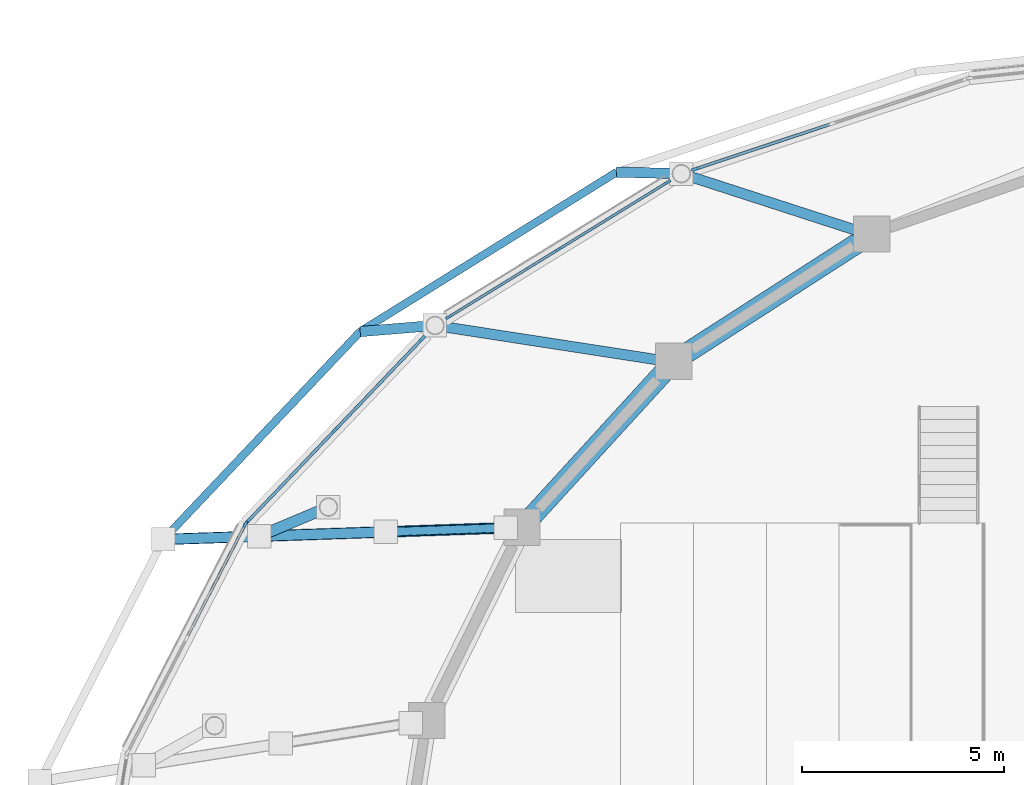
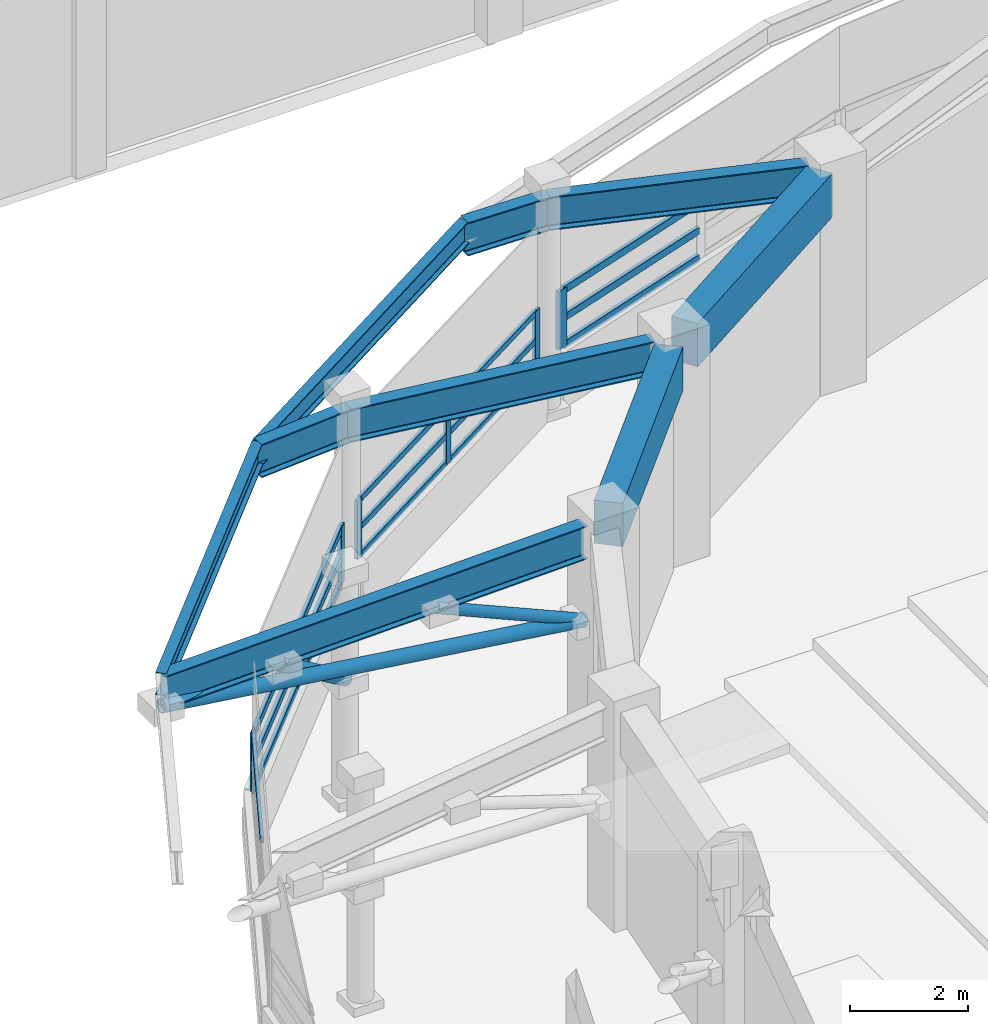
# One storey, part 14 of 56: 27 members, 9 beams, 4 elements without a shape of their own.
"""IFC4 building model written with IfcOpenShell, lengths in metres."""

from ifc_helpers import new_model, si_unit, direction, frame, origin, origin_2d, place, context, subcontext, project, spatial, rectangle, hollow_circle, i_section, extrude, material, material_profile, profile_set, type_object, element, aggregate, save


model = new_model("IFC4")

# Units and contexts
model_context = context("Model", 3, precision=1e-05, world=origin(), true_north=direction((0.0, 1.0)))
body_context = subcontext(model_context, "Body", "Model", "MODEL_VIEW")
ifc_project = project(units=[si_unit("LENGTHUNIT", "METRE"), si_unit("AREAUNIT", "SQUARE_METRE"), si_unit("VOLUMEUNIT", "CUBIC_METRE"), si_unit("PLANEANGLEUNIT", "RADIAN"), si_unit("MASSUNIT", "GRAM", prefix="KILO")], contexts=[model_context])

# Site, building, storey
site_placement = place(None, origin())
site = spatial("IfcSite", under=ifc_project, at=site_placement, CompositionType="ELEMENT")
building_placement = place(site_placement, origin())
building = spatial("IfcBuilding", under=site, at=building_placement, Name="Parian Resonance Hall", CompositionType="ELEMENT")
storey_placement = place(building_placement, frame((0.0, 0.0, 5.39990234375)))
storey = spatial("IfcBuildingStorey", under=building, at=storey_placement, Name="L01", CompositionType="ELEMENT", Elevation=5.39990234375)

# Beams
ifc_material_1 = material(Name="Concrete C40/50", Category="concrete")
ifc_material_profile_1 = material_profile(ifc_material_1, rectangle(XDim=0.5, YDim=0.89990234375, at=origin_2d()), Name="RC-BM-500x900")
ifc_profile_set_1 = profile_set([ifc_material_profile_1], Name="Concrete C40/50")
beam_type_1 = type_object("IfcBeamType", Name="BM-RC500x900", PredefinedType="USERDEFINED", material=ifc_profile_set_1)
beam_1_placement = place(storey_placement, frame((31.86376953125, 60.930908203125, 4.080078125), z_axis=(-0.840822266108, -0.541311293819, 0.0), x_axis=(0.541311293819, -0.840822266108, 0.0)))
element("IfcBeam", 1, at=beam_1_placement, inside=storey, type_object=beam_type_1, Name="Concert hall drum ring beam L01-09", ObjectType="GIRDER", PredefinedType="USERDEFINED", context=body_context, shape_type="SweptSolid", body=[
    extrude(rectangle(XDim=0.5, YDim=0.89990234375, at=origin_2d()), origin(), (0.0, 0.0, 1.0), 5.012939453125),
])
beam_2_placement = place(storey_placement, frame((27.042236328125, 57.70556640625, 4.080078125), z_axis=(-0.674892190981, -0.737916343872, 0.0), x_axis=(0.737916343872, -0.674892190981, 0.0)))
element("IfcBeam", 2, at=beam_2_placement, inside=storey, type_object=beam_type_1, Name="Concert hall drum ring beam L01-10", ObjectType="GIRDER", PredefinedType="USERDEFINED", context=body_context, shape_type="SweptSolid", body=[
    extrude(rectangle(XDim=0.5, YDim=0.89990234375, at=origin_2d()), origin(), (0.0, 0.0, 1.0), 4.757080078125),
])
ifc_material_2 = material(Name="Steel S355", Category="steel")
ifc_material_profile_2 = material_profile(ifc_material_2, i_section(OverallWidth=0.194091796875, OverallDepth=0.468994140625, WebThickness=0.0126953125, FlangeThickness=0.0205078125, FilletRadius=0.01513671875, at=origin_2d()), Name="W460x106")
ifc_profile_set_2 = profile_set([ifc_material_profile_2], Name="Steel S355")
beam_type_2 = type_object("IfcBeamType", Name="BM-W460x106", PredefinedType="SPANDREL", material=ifc_profile_set_2)
beam_3_placement = place(storey_placement, frame((25.89990234375, 62.677490234375, 4.295654296875), z_axis=(-0.849168757423, -0.528121597189, 0.0), x_axis=(0.528121597189, -0.849168757423, 0.0)))
element("IfcBeam", 3, at=beam_3_placement, inside=storey, type_object=beam_type_2, Name="Elliptical R2 perimeter spandrel beam 09", PredefinedType="SPANDREL", context=body_context, shape_type="SweptSolid", body=[
    extrude(i_section(OverallWidth=0.194091796875, OverallDepth=0.468994140625, WebThickness=0.0126953125, FlangeThickness=0.0205078125, FilletRadius=0.01513671875, at=origin_2d()), origin(), (0.0, 0.0, 1.0), 7.463134765625),
])
beam_4_placement = place(storey_placement, frame((19.5625, 58.736083984375, 4.295654296875), z_axis=(-0.687530152582, -0.726155829895, 0.0), x_axis=(0.726155829895, -0.687530152582, 0.0)))
element("IfcBeam", 4, at=beam_4_placement, inside=storey, type_object=beam_type_2, Name="Elliptical R2 perimeter spandrel beam 10", PredefinedType="SPANDREL", context=body_context, shape_type="SweptSolid", body=[
    extrude(i_section(OverallWidth=0.194091796875, OverallDepth=0.468994140625, WebThickness=0.0126953125, FlangeThickness=0.0205078125, FilletRadius=0.01513671875, at=origin_2d()), origin(), (0.0, 0.0, 1.0), 7.07275390625),
])
ifc_material_3 = material(Name="Steel S355", Category="steel")
ifc_material_profile_3 = material_profile(ifc_material_3, i_section(OverallWidth=0.256103515625, OverallDepth=0.693115234375, WebThickness=0.014404296875, FlangeThickness=0.023681640625, FilletRadius=0.020263671875, at=origin_2d()), Name="W690x170")
ifc_profile_set_3 = profile_set([ifc_material_profile_3], Name="Steel S355")
beam_type_3 = type_object("IfcBeamType", Name="CG2 W690x170", PredefinedType="USERDEFINED", material=ifc_profile_set_3)
beam_5_placement = place(storey_placement, frame((31.811279296875, 61.24169921875, 4.18359375), z_axis=(-0.951337263975, 0.308151602579, 0.0), x_axis=(-0.308151602579, -0.951337263975, 0.0)))
element("IfcBeam", 5, at=beam_5_placement, inside=storey, type_object=beam_type_3, Name="Radial ring back-span girder R2-09", ObjectType="GIRDER", PredefinedType="USERDEFINED", context=body_context, shape_type="SweptSolid", body=[
    extrude(i_section(OverallWidth=0.256103515625, OverallDepth=0.693115234375, WebThickness=0.014404296875, FlangeThickness=0.023681640625, FilletRadius=0.020263671875, at=origin_2d()), origin(), (0.0, 0.0, 1.0), 4.53173828125),
])
beam_6_placement = place(storey_placement, frame((27.5, 62.63818359375, 4.18359375), z_axis=(-0.999698413164, 0.024557742527, 0.0), x_axis=(-0.024557742527, -0.999698413164, 0.0)))
element("IfcBeam", 6, at=beam_6_placement, inside=storey, type_object=beam_type_3, Name="Radial ring cantilever girder R2-09", ObjectType="GIRDER", PredefinedType="USERDEFINED", context=body_context, shape_type="SweptSolid", body=[
    extrude(i_section(OverallWidth=0.256103515625, OverallDepth=0.693115234375, WebThickness=0.014404296875, FlangeThickness=0.023681640625, FilletRadius=0.020263671875, at=origin_2d()), origin(), (0.0, 0.0, 1.0), 1.6005859375),
])
beam_7_placement = place(storey_placement, frame((26.9140625, 58.03857421875, 4.18359375), z_axis=(-0.988303674736, 0.152498677051, 0.0), x_axis=(-0.152498677051, -0.988303674736, 0.0)))
element("IfcBeam", 7, at=beam_7_placement, inside=storey, type_object=beam_type_3, Name="Radial ring back-span girder R2-10", ObjectType="GIRDER", PredefinedType="USERDEFINED", context=body_context, shape_type="SweptSolid", body=[
    extrude(i_section(OverallWidth=0.256103515625, OverallDepth=0.693115234375, WebThickness=0.014404296875, FlangeThickness=0.023681640625, FilletRadius=0.020263671875, at=origin_2d()), origin(), (0.0, 0.0, 1.0), 5.568115234375),
])
beam_8_placement = place(storey_placement, frame((21.4111328125, 58.8876953125, 4.18359375), z_axis=(-0.99665383082, -0.081738249992, 0.0), x_axis=(0.081738249992, -0.99665383082, 0.0)))
element("IfcBeam", 8, at=beam_8_placement, inside=storey, type_object=beam_type_3, Name="Radial ring cantilever girder R2-10", ObjectType="GIRDER", PredefinedType="USERDEFINED", context=body_context, shape_type="SweptSolid", body=[
    extrude(i_section(OverallWidth=0.256103515625, OverallDepth=0.693115234375, WebThickness=0.014404296875, FlangeThickness=0.023681640625, FilletRadius=0.020263671875, at=origin_2d()), origin(), (0.0, 0.0, 1.0), 1.854736328125),
])
beam_9_placement = place(storey_placement, frame((23.162109375, 53.886474609375, 4.18359375), z_axis=(-0.999427881533, -0.033821732879, 0.0), x_axis=(0.033821732879, -0.999427881533, 0.0)))
element("IfcBeam", 9, at=beam_9_placement, inside=storey, type_object=beam_type_3, Name="Radial ring cantilever girder R2-11", ObjectType="GIRDER", PredefinedType="USERDEFINED", context=body_context, shape_type="SweptSolid", body=[
    extrude(i_section(OverallWidth=0.256103515625, OverallDepth=0.693115234375, WebThickness=0.014404296875, FlangeThickness=0.023681640625, FilletRadius=0.020263671875, at=origin_2d()), origin(), (0.0, 0.0, 1.0), 8.46728515625),
])

# Curtain wall, members
ifc_material_4 = material(Name="Bronze-anodised aluminium frame", Category="aluminium")
curtain_wall_type_1 = type_object("IfcCurtainWallType", Name="CW-SYS-03", PredefinedType="NOTDEFINED", material=ifc_material_4)
curtain_wall_1_placement = place(storey_placement, origin())
curtain_wall_1 = element("IfcCurtainWall", 10, at=curtain_wall_1_placement, inside=storey, type_object=curtain_wall_type_1, Name="Elliptical R1 recessed strip curtain wall 09", PredefinedType="NOTDEFINED")
ifc_material_5 = material(Name="Bronze-anodised aluminium frame", Category="aluminium")
ifc_material_profile_4 = material_profile(ifc_material_5, rectangle(XDim=0.06494140625, YDim=0.159912109375, at=origin_2d()), Name="CWM-65x160")
ifc_profile_set_4 = profile_set([ifc_material_profile_4], Name="Bronze-anodised aluminium frame")
member_type_1 = type_object("IfcMemberType", Name="CWM-65x160", PredefinedType="MULLION", material=ifc_profile_set_4)
member_1_placement = place(storey_placement, frame((21.747314453125, 59.0947265625, 1.14208984375), z_axis=(0.0, 0.0, 1.0), x_axis=(-0.524455931217, 0.851437593844, 0.0)))
member_1 = element("IfcMember", 11, at=member_1_placement, type_object=member_type_1, Name="CW-03 mullion 1", PredefinedType="MULLION", context=body_context, shape_type="SweptSolid", body=[
    extrude(rectangle(XDim=0.06494140625, YDim=0.159912109375, at=origin_2d()), origin(), (0.0, 0.0, 1.0), 1.218017578125),
])
member_2_placement = place(storey_placement, frame((24.45556640625, 60.762939453125, 1.14208984375), z_axis=(0.0, 0.0, 1.0), x_axis=(-0.524455931217, 0.851437593844, 0.0)))
member_2 = element("IfcMember", 12, at=member_2_placement, type_object=member_type_1, Name="CW-03 mullion 2", PredefinedType="MULLION", context=body_context, shape_type="SweptSolid", body=[
    extrude(rectangle(XDim=0.06494140625, YDim=0.159912109375, at=origin_2d()), origin(), (0.0, 0.0, 1.0), 1.218017578125),
])
member_3_placement = place(storey_placement, frame((27.163818359375, 62.43115234375, 1.14208984375), z_axis=(0.0, 0.0, 1.0), x_axis=(-0.524455931217, 0.851437593844, 0.0)))
member_3 = element("IfcMember", 13, at=member_3_placement, type_object=member_type_1, Name="CW-03 mullion 3", PredefinedType="MULLION", context=body_context, shape_type="SweptSolid", body=[
    extrude(rectangle(XDim=0.06494140625, YDim=0.159912109375, at=origin_2d()), origin(), (0.0, 0.0, 1.0), 1.218017578125),
])

# Curtain wall, member
ifc_material_6 = material(Name="Bronze-anodised aluminium frame", Category="aluminium")
curtain_wall_type_2 = type_object("IfcCurtainWallType", Name="CW-SYS-05", PredefinedType="NOTDEFINED", material=ifc_material_6)
curtain_wall_2_placement = place(storey_placement, origin())
curtain_wall_2 = element("IfcCurtainWall", 14, at=curtain_wall_2_placement, inside=storey, type_object=curtain_wall_type_2, Name="Elliptical R1 recessed strip curtain wall 11", PredefinedType="NOTDEFINED")
member_4_placement = place(storey_placement, frame((16.723876953125, 53.97119140625, 1.14208984375), z_axis=(0.0, 0.0, 1.0), x_axis=(-0.888662321607, 0.458562185702, 0.0)))
member_4 = element("IfcMember", 15, at=member_4_placement, type_object=member_type_1, Name="CW-05 mullion 3", PredefinedType="MULLION", context=body_context, shape_type="SweptSolid", body=[
    extrude(rectangle(XDim=0.06494140625, YDim=0.159912109375, at=origin_2d()), origin(), (0.0, 0.0, 1.0), 1.218017578125),
])

ifc_material_7 = material(Name="Bronze-anodised aluminium frame", Category="aluminium")
curtain_wall_type_3 = type_object("IfcCurtainWallType", Name="CW-SYS-02", PredefinedType="NOTDEFINED", material=ifc_material_7)
curtain_wall_3_placement = place(storey_placement, origin())
curtain_wall_3 = element("IfcCurtainWall", 16, at=curtain_wall_3_placement, inside=storey, type_object=curtain_wall_type_3, Name="Elliptical R1 recessed strip curtain wall 08", PredefinedType="NOTDEFINED")
ifc_material_8 = material(Name="Bronze-anodised aluminium frame", Category="aluminium")
ifc_material_profile_5 = material_profile(ifc_material_8, rectangle(XDim=0.074951171875, YDim=0.199951171875, at=origin_2d()), Name="CWM-75x200")
ifc_profile_set_5 = profile_set([ifc_material_profile_5], Name="Bronze-anodised aluminium frame")
member_type_2 = type_object("IfcMemberType", Name="CWM-75x200", PredefinedType="MULLION", material=ifc_profile_set_5)
member_5_placement = place(storey_placement, frame((27.843994140625, 62.752685546875, 1.14208984375), z_axis=(0.0, 0.0, 1.0), x_axis=(-0.315505719015, 0.948923675154, 0.0)))
member_5 = element("IfcMember", 17, at=member_5_placement, type_object=member_type_2, Name="CW-02 mullion 1", PredefinedType="MULLION", context=body_context, shape_type="SweptSolid", body=[
    extrude(rectangle(XDim=0.074951171875, YDim=0.199951171875, at=origin_2d()), origin(), (0.0, 0.0, 1.0), 1.218017578125),
])

# Curtain wall, members
ifc_material_9 = material(Name="Bronze-anodised aluminium frame", Category="aluminium")
curtain_wall_type_4 = type_object("IfcCurtainWallType", Name="CW-SYS-04", PredefinedType="NOTDEFINED", material=ifc_material_9)
curtain_wall_4_placement = place(storey_placement, origin())
curtain_wall_4 = element("IfcCurtainWall", 18, at=curtain_wall_4_placement, inside=storey, type_object=curtain_wall_type_4, Name="Elliptical R1 recessed strip curtain wall 10", PredefinedType="NOTDEFINED")
member_6_placement = place(storey_placement, frame((16.764892578125, 54.027099609375, 1.14208984375), z_axis=(0.0, 0.0, 1.0), x_axis=(-0.722862945911, 0.690991433687, 0.0)))
member_6 = element("IfcMember", 19, at=member_6_placement, type_object=member_type_2, Name="CW-04 mullion 1", PredefinedType="MULLION", context=body_context, shape_type="SweptSolid", body=[
    extrude(rectangle(XDim=0.074951171875, YDim=0.199951171875, at=origin_2d()), origin(), (0.0, 0.0, 1.0), 1.218017578125),
])
member_7_placement = place(storey_placement, frame((18.927490234375, 56.28955078125, 1.14208984375), z_axis=(0.0, 0.0, 1.0), x_axis=(-0.722862945911, 0.690991433687, 0.0)))
member_7 = element("IfcMember", 20, at=member_7_placement, type_object=member_type_2, Name="CW-04 mullion 2", PredefinedType="MULLION", context=body_context, shape_type="SweptSolid", body=[
    extrude(rectangle(XDim=0.074951171875, YDim=0.199951171875, at=origin_2d()), origin(), (0.0, 0.0, 1.0), 1.218017578125),
])
member_8_placement = place(storey_placement, frame((21.09033203125, 58.552001953125, 1.14208984375), z_axis=(0.0, 0.0, 1.0), x_axis=(-0.722862945911, 0.690991433687, 0.0)))
member_8 = element("IfcMember", 21, at=member_8_placement, type_object=member_type_2, Name="CW-04 mullion 3", PredefinedType="MULLION", context=body_context, shape_type="SweptSolid", body=[
    extrude(rectangle(XDim=0.074951171875, YDim=0.199951171875, at=origin_2d()), origin(), (0.0, 0.0, 1.0), 1.218017578125),
])

# Member
ifc_material_10 = material(Name="Bronze-anodised aluminium frame", Category="aluminium")
ifc_material_profile_6 = material_profile(ifc_material_10, rectangle(XDim=0.06494140625, YDim=0.1201171875, at=origin_2d()), Name="CWT-65x120")
ifc_profile_set_6 = profile_set([ifc_material_profile_6], Name="Bronze-anodised aluminium frame")
member_type_3 = type_object("IfcMemberType", Name="CWT-65x120", PredefinedType="USERDEFINED", material=ifc_profile_set_6)
member_9_placement = place(storey_placement, frame((21.77490234375, 59.11181640625, 1.174560546875), z_axis=(0.851461870037, 0.524416517544, 0.0), x_axis=(-0.524416517544, 0.851461870037, 0.0)))
member_9 = element("IfcMember", 22, at=member_9_placement, type_object=member_type_3, Name="CW-03 transom 1.1", ObjectType="TRANSOM", PredefinedType="USERDEFINED", context=body_context, shape_type="SweptSolid", body=[
    extrude(rectangle(XDim=0.06494140625, YDim=0.1201171875, at=origin_2d()), origin(), (0.0, 0.0, 1.0), 3.115966796875),
])

member_10_placement = place(storey_placement, frame((21.77490234375, 59.11181640625, 1.75), z_axis=(0.851461870037, 0.524416517544, 0.0), x_axis=(-0.524416517544, 0.851461870037, 0.0)))
member_10 = element("IfcMember", 23, at=member_10_placement, type_object=member_type_3, Name="CW-03 transom 1.2", ObjectType="TRANSOM", PredefinedType="USERDEFINED", context=body_context, shape_type="SweptSolid", body=[
    extrude(rectangle(XDim=0.06494140625, YDim=0.1201171875, at=origin_2d()), origin(), (0.0, 0.0, 1.0), 3.115966796875),
])

member_11_placement = place(storey_placement, frame((21.77490234375, 59.11181640625, 2.32763671875), z_axis=(0.851461870037, 0.524416517544, 0.0), x_axis=(-0.524416517544, 0.851461870037, 0.0)))
member_11 = element("IfcMember", 24, at=member_11_placement, type_object=member_type_3, Name="CW-03 transom 1.3", ObjectType="TRANSOM", PredefinedType="USERDEFINED", context=body_context, shape_type="SweptSolid", body=[
    extrude(rectangle(XDim=0.06494140625, YDim=0.1201171875, at=origin_2d()), origin(), (0.0, 0.0, 1.0), 3.115966796875),
])

member_12_placement = place(storey_placement, frame((24.483154296875, 60.780029296875, 1.174560546875), z_axis=(0.851461870037, 0.524416517544, 0.0), x_axis=(-0.524416517544, 0.851461870037, 0.0)))
member_12 = element("IfcMember", 25, at=member_12_placement, type_object=member_type_3, Name="CW-03 transom 2.1", ObjectType="TRANSOM", PredefinedType="USERDEFINED", context=body_context, shape_type="SweptSolid", body=[
    extrude(rectangle(XDim=0.06494140625, YDim=0.1201171875, at=origin_2d()), origin(), (0.0, 0.0, 1.0), 3.115966796875),
])

member_13_placement = place(storey_placement, frame((24.483154296875, 60.780029296875, 1.75), z_axis=(0.851461870037, 0.524416517544, 0.0), x_axis=(-0.524416517544, 0.851461870037, 0.0)))
member_13 = element("IfcMember", 26, at=member_13_placement, type_object=member_type_3, Name="CW-03 transom 2.2", ObjectType="TRANSOM", PredefinedType="USERDEFINED", context=body_context, shape_type="SweptSolid", body=[
    extrude(rectangle(XDim=0.06494140625, YDim=0.1201171875, at=origin_2d()), origin(), (0.0, 0.0, 1.0), 3.115966796875),
])

member_14_placement = place(storey_placement, frame((24.483154296875, 60.780029296875, 2.32763671875), z_axis=(0.851461870037, 0.524416517544, 0.0), x_axis=(-0.524416517544, 0.851461870037, 0.0)))
member_14 = element("IfcMember", 27, at=member_14_placement, type_object=member_type_3, Name="CW-03 transom 2.3", ObjectType="TRANSOM", PredefinedType="USERDEFINED", context=body_context, shape_type="SweptSolid", body=[
    extrude(rectangle(XDim=0.06494140625, YDim=0.1201171875, at=origin_2d()), origin(), (0.0, 0.0, 1.0), 3.115966796875),
])

aggregate(curtain_wall_1, [member_1, member_2, member_3, member_9, member_10, member_11, member_12, member_13, member_14])

member_15_placement = place(storey_placement, frame((15.28515625, 51.182861328125, 2.32763671875), z_axis=(0.458562803169, 0.888662002985, 0.0), x_axis=(-0.888662002985, 0.458562803169, 0.0)))
member_15 = element("IfcMember", 28, at=member_15_placement, type_object=member_type_3, Name="CW-05 transom 2.3", ObjectType="TRANSOM", PredefinedType="USERDEFINED", context=body_context, shape_type="SweptSolid", body=[
    extrude(rectangle(XDim=0.06494140625, YDim=0.1201171875, at=origin_2d()), origin(), (0.0, 0.0, 1.0), 3.10498046875),
])

aggregate(curtain_wall_2, [member_4, member_15])

ifc_material_11 = material(Name="Bronze-anodised aluminium frame", Category="aluminium")
ifc_material_profile_7 = material_profile(ifc_material_11, rectangle(XDim=0.074951171875, YDim=0.14990234375, at=origin_2d()), Name="CWT-75x150")
ifc_profile_set_7 = profile_set([ifc_material_profile_7], Name="Bronze-anodised aluminium frame")
member_type_4 = type_object("IfcMemberType", Name="CWT-75x150", PredefinedType="USERDEFINED", material=ifc_profile_set_7)
member_16_placement = place(storey_placement, frame((27.879638671875, 62.764404296875, 1.1796875), z_axis=(0.948922848148, 0.315508206331, 0.0), x_axis=(-0.315508206331, 0.948922848148, 0.0)))
member_16 = element("IfcMember", 29, at=member_16_placement, type_object=member_type_4, Name="CW-02 transom 1.1", ObjectType="TRANSOM", PredefinedType="USERDEFINED", context=body_context, shape_type="SweptSolid", body=[
    extrude(rectangle(XDim=0.074951171875, YDim=0.14990234375, at=origin_2d()), origin(), (0.0, 0.0, 1.0), 3.461181640625),
])

member_17_placement = place(storey_placement, frame((27.879638671875, 62.764404296875, 1.75), z_axis=(0.948922848148, 0.315508206331, 0.0), x_axis=(-0.315508206331, 0.948922848148, 0.0)))
member_17 = element("IfcMember", 30, at=member_17_placement, type_object=member_type_4, Name="CW-02 transom 1.2", ObjectType="TRANSOM", PredefinedType="USERDEFINED", context=body_context, shape_type="SweptSolid", body=[
    extrude(rectangle(XDim=0.074951171875, YDim=0.14990234375, at=origin_2d()), origin(), (0.0, 0.0, 1.0), 3.461181640625),
])

member_18_placement = place(storey_placement, frame((27.879638671875, 62.764404296875, 2.322509765625), z_axis=(0.948922848148, 0.315508206331, 0.0), x_axis=(-0.315508206331, 0.948922848148, 0.0)))
member_18 = element("IfcMember", 31, at=member_18_placement, type_object=member_type_4, Name="CW-02 transom 1.3", ObjectType="TRANSOM", PredefinedType="USERDEFINED", context=body_context, shape_type="SweptSolid", body=[
    extrude(rectangle(XDim=0.074951171875, YDim=0.14990234375, at=origin_2d()), origin(), (0.0, 0.0, 1.0), 3.461181640625),
])

aggregate(curtain_wall_3, [member_5, member_16, member_17, member_18])

member_19_placement = place(storey_placement, frame((16.790771484375, 54.05419921875, 1.1796875), z_axis=(0.690983086495, 0.722870924977, 0.0), x_axis=(-0.722870924977, 0.690983086495, 0.0)))
member_19 = element("IfcMember", 32, at=member_19_placement, type_object=member_type_4, Name="CW-04 transom 1.1", ObjectType="TRANSOM", PredefinedType="USERDEFINED", context=body_context, shape_type="SweptSolid", body=[
    extrude(rectangle(XDim=0.074951171875, YDim=0.14990234375, at=origin_2d()), origin(), (0.0, 0.0, 1.0), 3.054931640625),
])

member_20_placement = place(storey_placement, frame((16.790771484375, 54.05419921875, 1.75), z_axis=(0.690983086495, 0.722870924977, 0.0), x_axis=(-0.722870924977, 0.690983086495, 0.0)))
member_20 = element("IfcMember", 33, at=member_20_placement, type_object=member_type_4, Name="CW-04 transom 1.2", ObjectType="TRANSOM", PredefinedType="USERDEFINED", context=body_context, shape_type="SweptSolid", body=[
    extrude(rectangle(XDim=0.074951171875, YDim=0.14990234375, at=origin_2d()), origin(), (0.0, 0.0, 1.0), 3.054931640625),
])

member_21_placement = place(storey_placement, frame((16.790771484375, 54.05419921875, 2.322509765625), z_axis=(0.690983086495, 0.722870924977, 0.0), x_axis=(-0.722870924977, 0.690983086495, 0.0)))
member_21 = element("IfcMember", 34, at=member_21_placement, type_object=member_type_4, Name="CW-04 transom 1.3", ObjectType="TRANSOM", PredefinedType="USERDEFINED", context=body_context, shape_type="SweptSolid", body=[
    extrude(rectangle(XDim=0.074951171875, YDim=0.14990234375, at=origin_2d()), origin(), (0.0, 0.0, 1.0), 3.054931640625),
])

member_22_placement = place(storey_placement, frame((18.953369140625, 56.316650390625, 1.1796875), z_axis=(0.691024844307, 0.72283100691, 0.0), x_axis=(-0.72283100691, 0.691024844307, 0.0)))
member_22 = element("IfcMember", 35, at=member_22_placement, type_object=member_type_4, Name="CW-04 transom 2.1", ObjectType="TRANSOM", PredefinedType="USERDEFINED", context=body_context, shape_type="SweptSolid", body=[
    extrude(rectangle(XDim=0.074951171875, YDim=0.14990234375, at=origin_2d()), origin(), (0.0, 0.0, 1.0), 3.054931640625),
])

member_23_placement = place(storey_placement, frame((18.953369140625, 56.316650390625, 1.75), z_axis=(0.691024844307, 0.72283100691, 0.0), x_axis=(-0.72283100691, 0.691024844307, 0.0)))
member_23 = element("IfcMember", 36, at=member_23_placement, type_object=member_type_4, Name="CW-04 transom 2.2", ObjectType="TRANSOM", PredefinedType="USERDEFINED", context=body_context, shape_type="SweptSolid", body=[
    extrude(rectangle(XDim=0.074951171875, YDim=0.14990234375, at=origin_2d()), origin(), (0.0, 0.0, 1.0), 3.054931640625),
])

member_24_placement = place(storey_placement, frame((18.953369140625, 56.316650390625, 2.322509765625), z_axis=(0.691024844307, 0.72283100691, 0.0), x_axis=(-0.72283100691, 0.691024844307, 0.0)))
member_24 = element("IfcMember", 37, at=member_24_placement, type_object=member_type_4, Name="CW-04 transom 2.3", ObjectType="TRANSOM", PredefinedType="USERDEFINED", context=body_context, shape_type="SweptSolid", body=[
    extrude(rectangle(XDim=0.074951171875, YDim=0.14990234375, at=origin_2d()), origin(), (0.0, 0.0, 1.0), 3.054931640625),
])

aggregate(curtain_wall_4, [member_6, member_7, member_8, member_19, member_20, member_21, member_22, member_23, member_24])

# Members
ifc_material_12 = material(Name="Hollow structural steel S355", Category="steel")
ifc_material_profile_8 = material_profile(ifc_material_12, hollow_circle(Radius=0.109619140625, WallThickness=0.010009765625, at=origin_2d()), Name="CHS219.1x10")
ifc_profile_set_8 = profile_set([ifc_material_profile_8], Name="Hollow structural steel S355")
member_type_5 = type_object("IfcMemberType", Name="MEM-CHS219", PredefinedType="CHORD", material=ifc_profile_set_8)
member_25_placement = place(storey_placement, frame((23.162109375, 53.886474609375, 2.507080078125), z_axis=(-0.90949729412, -0.030811357392, 0.414566438879), x_axis=(0.033857925787, -0.999426656069, 0.0)))
element("IfcMember", 38, at=member_25_placement, inside=storey, type_object=member_type_5, Name="Elliptical ring truss inner web R2-11", PredefinedType="CHORD", context=body_context, shape_type="SweptSolid", body=[
    extrude(hollow_circle(Radius=0.109619140625, WallThickness=0.010009765625, at=origin_2d()), origin(), (0.0, 0.0, 1.0), 3.256591796875),
])
ifc_material_13 = material(Name="Hollow structural steel S355", Category="steel")
ifc_material_profile_9 = material_profile(ifc_material_13, hollow_circle(Radius=0.136474609375, WallThickness=0.012451171875, at=origin_2d()), Name="CHS273x12.5")
ifc_profile_set_9 = profile_set([ifc_material_profile_9], Name="Hollow structural steel S355")
member_type_6 = type_object("IfcMemberType", Name="MEM-CHS273", PredefinedType="CHORD", material=ifc_profile_set_9)
member_26_placement = place(storey_placement, frame((23.162109375, 53.886474609375, 2.507080078125), z_axis=(-0.986960328832, -0.033399817256, 0.15746034904), x_axis=(0.033821732879, -0.999427881533, 0.0)))
element("IfcMember", 39, at=member_26_placement, inside=storey, type_object=member_type_6, Name="Elliptical ring truss lower chord R2-11", PredefinedType="CHORD", context=body_context, shape_type="SweptSolid", body=[
    extrude(hollow_circle(Radius=0.136474609375, WallThickness=0.012451171875, at=origin_2d()), origin(), (0.0, 0.0, 1.0), 8.57421875),
])
ifc_material_14 = material(Name="Hollow structural steel S355", Category="steel")
ifc_material_profile_10 = material_profile(ifc_material_14, hollow_circle(Radius=0.136474609375, WallThickness=0.012451171875, at=origin_2d()), Name="CHS273x12.5")
ifc_profile_set_10 = profile_set([ifc_material_profile_10], Name="Hollow structural steel S355")
member_type_7 = type_object("IfcMemberType", Name="MEM-STRUT273", PredefinedType="BRACE", material=ifc_profile_set_10)
member_27_placement = place(storey_placement, frame((18.778076171875, 54.39990234375, 2.507080078125), z_axis=(-0.745053622906, -0.313774011475, 0.588592362096), x_axis=(0.388127629535, -0.921605633225, 0.0)))
element("IfcMember", 40, at=member_27_placement, inside=storey, type_object=member_type_7, Name="Elliptical ring raking strut R2-11", PredefinedType="BRACE", context=body_context, shape_type="SweptSolid", body=[
    extrude(hollow_circle(Radius=0.136474609375, WallThickness=0.012451171875, at=origin_2d()), origin(), (0.0, 0.0, 1.0), 2.293701171875),
])

save(model, "model.ifc")
